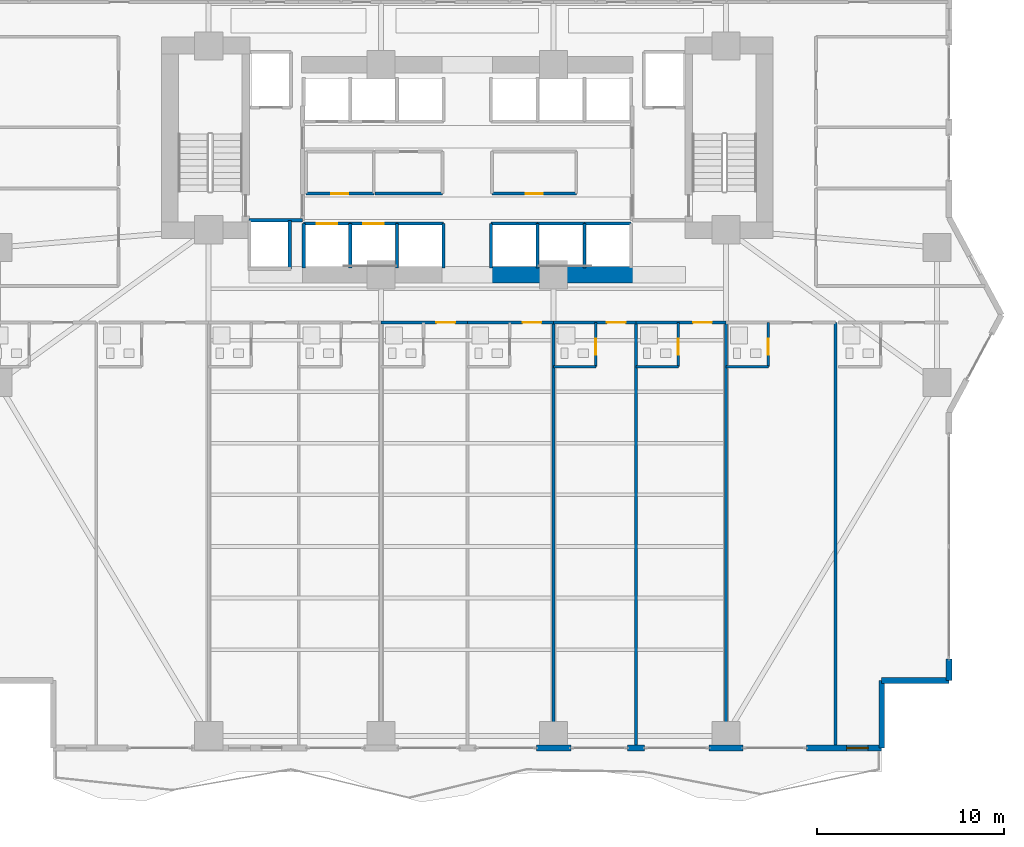
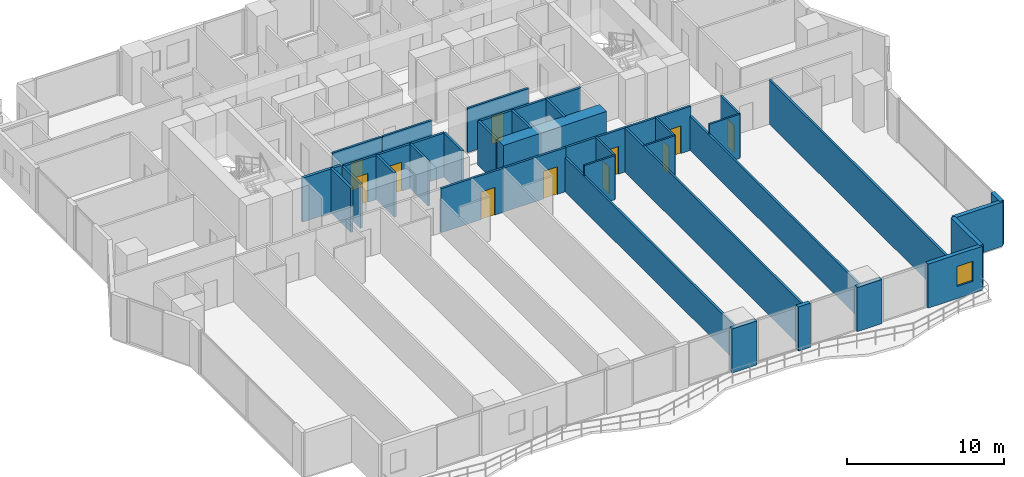
# One storey, part 20 of 29: 40 walls, 11 doors, 1 window, 12 openings.
"""IFC4 building model written with IfcOpenShell, lengths in metres."""

import ifcopenshell
import ifcopenshell.guid

model = None  # the IFC model being written
_history = None  # IfcOwnerHistory: only IFC2X3 demands one
_inside = {}  # id of a spatial element -> (the spatial element, [elements in it])
_under = {}  # id of a project, library or spatial element -> (it, [spatial elements below it])
_declared = {}  # id of a project -> (the project, [libraries it declares])
_typed = {}  # id of a type object -> (the type object, [elements of that type])
_made_of = {}  # id of a material, layer set ... -> (it, [elements and type objects made of it])


def new_model(schema):
    """Start an empty IFC model of exactly this schema.

    Asked for "IFC4X3", IfcOpenShell would pick the latest addendum, in which some entities
    have other attributes; the version numbers below select the first issue.
    IFC2X3 requires an IfcOwnerHistory on every rooted entity: one is made here for all.
    """
    global model, _history
    if schema == "IFC4X3":
        model = ifcopenshell.file(schema_version=(4, 3, 0, 0))
    else:
        model = ifcopenshell.file(schema=schema)
    _inside.clear()
    _under.clear()
    _declared.clear()
    _typed.clear()
    _made_of.clear()
    _history = None
    if model.schema == "IFC2X3":
        org = make("IfcOrganization", Name="unknown")
        user = make(
            "IfcPersonAndOrganization",
            ThePerson=make("IfcPerson", FamilyName="unknown"),
            TheOrganization=org,
        )
        app = make(
            "IfcApplication",
            ApplicationDeveloper=org,
            Version="unknown",
            ApplicationFullName="unknown",
            ApplicationIdentifier="unknown",
        )
        _history = make(
            "IfcOwnerHistory",
            OwningUser=user,
            OwningApplication=app,
            ChangeAction="ADDED",
            CreationDate=0,
        )
    return model


def make(cls, **values):
    """One entity of the class cls with the attributes given. An attribute that is None is left unset."""
    return model.create_entity(
        cls, **{name: value for name, value in values.items() if value is not None}
    )


def rooted(cls, **values):
    """An entity with a GlobalId (a new one), such as an element, a storey or a relation."""
    return make(cls, GlobalId=ifcopenshell.guid.new(), OwnerHistory=_history, **values)


def si_unit(unit_type, name, prefix=None):
    """IfcSIUnit, for example si_unit("LENGTHUNIT", "METRE", prefix="MILLI")."""
    return make("IfcSIUnit", UnitType=unit_type, Prefix=prefix, Name=name)


def assignment(units):
    """IfcUnitAssignment: the units of a project."""
    return None if units is None else make("IfcUnitAssignment", Units=units)


def point(xyz):
    """IfcCartesianPoint."""
    return None if xyz is None else make("IfcCartesianPoint", Coordinates=xyz)


def direction(xyz):
    """IfcDirection."""
    return None if xyz is None else make("IfcDirection", DirectionRatios=xyz)


def frame(location, z_axis=None, x_axis=None):
    """IfcAxis2Placement3D, a coordinate frame: its origin and axes. An axis left out is left unset."""
    return make(
        "IfcAxis2Placement3D",
        Location=point(location),
        Axis=direction(z_axis),
        RefDirection=direction(x_axis),
    )


def frame_2d(location, x_axis=None):
    """IfcAxis2Placement2D, a coordinate frame in the plane: its origin and x axis."""
    return make(
        "IfcAxis2Placement2D", Location=point(location), RefDirection=direction(x_axis)
    )


def origin():
    """The frame at (0, 0, 0) with its axes left unset."""
    return frame((0.0, 0.0, 0.0))


def place(relative_to, where):
    """IfcLocalPlacement: puts the frame where relative to a parent placement (None: the world)."""
    return make(
        "IfcLocalPlacement", PlacementRelTo=relative_to, RelativePlacement=where
    )


def context(
    kind, dimensions, precision=None, world=None, true_north=None, identifier=None
):
    """IfcGeometricRepresentationContext, for example the 3D "Model" context."""
    return make(
        "IfcGeometricRepresentationContext",
        ContextIdentifier=identifier,
        ContextType=kind,
        CoordinateSpaceDimension=dimensions,
        Precision=precision,
        WorldCoordinateSystem=world,
        TrueNorth=true_north,
    )


def subcontext(parent, identifier, kind, view, scale=None):
    """IfcGeometricRepresentationSubContext, for example "Body" below "Model"."""
    return make(
        "IfcGeometricRepresentationSubContext",
        ContextIdentifier=identifier,
        ContextType=kind,
        ParentContext=parent,
        TargetScale=scale,
        TargetView=view,
    )


def project(units=None, contexts=None):
    """IfcProject with its units and contexts."""
    return rooted(
        "IfcProject",
        Name="project",
        RepresentationContexts=contexts,
        UnitsInContext=assignment(units),
    )


def spatial(cls, under=None, at=None, **own):
    """A site, building, storey or space (cls), placed at a placement, below another one or the project."""
    s = rooted(cls, ObjectPlacement=at, **own)
    if under is not None:
        _under.setdefault(under.id(), (under, []))[1].append(s)
    return s


def profile(cls, at=None, kind="AREA", **sizes):
    """A parametric profile (cls). Its sizes go by their IFC names, for example OverallWidth=200.0."""
    return make(cls, ProfileType=kind, Position=at, **sizes)


def rectangle(**sizes):
    """IfcRectangleProfileDef."""
    return profile("IfcRectangleProfileDef", **sizes)


def extrude(swept, where, along, depth):
    """IfcExtrudedAreaSolid: the profile swept, set in the frame where, extruded along a direction by depth."""
    return make(
        "IfcExtrudedAreaSolid",
        SweptArea=swept,
        Position=where,
        ExtrudedDirection=direction(along),
        Depth=depth,
    )


def shape(context_of_items, identifier, shape_type, items):
    """IfcShapeRepresentation: the items that make up one representation, for example the "Body"."""
    return make(
        "IfcShapeRepresentation",
        ContextOfItems=context_of_items,
        RepresentationIdentifier=identifier,
        RepresentationType=shape_type,
        Items=items,
    )


def material(Name=None, Category=None):
    """IfcMaterial."""
    return make("IfcMaterial", Name=Name, Category=Category)


def layer(
    of_material, thickness, ventilated=None, Name=None, Category=None, Priority=None
):
    """IfcMaterialLayer: one layer of a wall or slab, of a material (None: an air gap)."""
    return make(
        "IfcMaterialLayer",
        Material=of_material,
        LayerThickness=thickness,
        IsVentilated=ventilated,
        Name=Name,
        Category=Category,
        Priority=Priority,
    )


def layer_set(layers, Name=None):
    """IfcMaterialLayerSet."""
    return make("IfcMaterialLayerSet", MaterialLayers=layers, LayerSetName=Name)


def made_of(thing, what):
    """Note that an element or type object is made of a material, layer set ...; save() writes the relation."""
    if what is not None:
        _made_of.setdefault(what.id(), (what, []))[1].append(thing)
    return thing


def type_object(cls, material=None, **own):
    """A type object (cls), such as IfcWallType, which elements share."""
    return made_of(rooted(cls, **own), material)


def element(
    cls,
    number,
    at=None,
    inside=None,
    cuts=None,
    type_object=None,
    material=None,
    context=None,
    identifier="Body",
    shape_type=None,
    held_by="IfcProductDefinitionShape",
    body=None,
    shapes=None,
    **own,
):
    """One element of the class cls, such as IfcWall. Its Tag is "e" and its number.

    at: its placement. inside: the storey or other place that contains it. cuts: it is an
    opening in that element (IfcRelVoidsElement). A single representation is given by context,
    identifier, shape_type and body (its items); several are given by shapes. held_by: the class
    of the entity that holds the representations. save() writes the other relations.
    """
    e = rooted(cls, Tag="e%d" % number, ObjectPlacement=at, **own)
    if body is not None:
        shapes = [shape(context, identifier, shape_type, body)]
    if shapes is not None:
        e.Representation = make(held_by, Representations=shapes)
    if inside is not None:
        _inside.setdefault(inside.id(), (inside, []))[1].append(e)
    if cuts is not None:
        rooted(
            "IfcRelVoidsElement", RelatingBuildingElement=cuts, RelatedOpeningElement=e
        )
    if type_object is not None:
        _typed.setdefault(type_object.id(), (type_object, []))[1].append(e)
    return made_of(e, material)


def fill(opening, filler):
    """IfcRelFillsElement: the door or window that sits in an opening."""
    return rooted(
        "IfcRelFillsElement",
        RelatingOpeningElement=opening,
        RelatedBuildingElement=filler,
    )


def aggregate(whole, parts):
    """IfcRelAggregates: a whole, such as a stair, and the parts it consists of."""
    return rooted("IfcRelAggregates", RelatingObject=whole, RelatedObjects=parts)


def save(model, path):
    """Write the relations noted so far, then the file.

    IfcRelAggregates (storeys below a building ...), IfcRelContainedInSpatialStructure (elements
    in a storey), IfcRelDefinesByType, IfcRelAssociatesMaterial and IfcRelDeclares: one each for
    every whole, place, type object, material and project.
    """
    for whole, parts in _under.values():
        aggregate(whole, parts)
    for where, things in _inside.values():
        rooted(
            "IfcRelContainedInSpatialStructure",
            RelatedElements=things,
            RelatingStructure=where,
        )
    for kind, things in _typed.values():
        rooted("IfcRelDefinesByType", RelatedObjects=things, RelatingType=kind)
    for what, things in _made_of.values():
        rooted("IfcRelAssociatesMaterial", RelatedObjects=things, RelatingMaterial=what)
    for by, libraries in _declared.values():
        rooted("IfcRelDeclares", RelatingContext=by, RelatedDefinitions=libraries)
    model.write(path)


model = new_model("IFC4")

# Units and contexts
model_context = context("Model", 3, precision=1e-05, world=origin(), true_north=direction((0.0, 1.0)))
body_context = subcontext(model_context, "Body", "Model", "MODEL_VIEW")
ifc_project = project(units=[si_unit("LENGTHUNIT", "METRE"), si_unit("AREAUNIT", "SQUARE_METRE"), si_unit("VOLUMEUNIT", "CUBIC_METRE"), si_unit("PLANEANGLEUNIT", "RADIAN"), si_unit("MASSUNIT", "GRAM", prefix="KILO")], contexts=[model_context])

# Site, building, storey
site_placement = place(None, origin())
site = spatial("IfcSite", under=ifc_project, at=site_placement, CompositionType="ELEMENT")
building_placement = place(site_placement, origin())
building = spatial("IfcBuilding", under=site, at=building_placement, Name="Zuhayl Quay Hotel", CompositionType="ELEMENT")
storey_placement = place(building_placement, frame((0.0, 0.0, 64.10009765625)))
storey = spatial("IfcBuildingStorey", under=building, at=storey_placement, Name="L15", CompositionType="ELEMENT", Elevation=64.10009765625)

# Walls
ifc_material_1 = material(Name="Concrete C70/85", Category="concrete")
ifc_layer_1 = layer(ifc_material_1, 0.89990234375, Name="Concrete C70/85", Category="concrete")
ifc_layer_set_1 = layer_set([ifc_layer_1], Name="Concrete C70/85")
wall_type_1 = type_object("IfcWallType", Name="WL_CORE_900", PredefinedType="SHEAR", material=ifc_layer_set_1)
wall_1_placement = place(storey_placement, frame((1.25, 2.14990234375, 0.0), z_axis=(0.0, 0.0, 1.0), x_axis=(1.0, 0.0, 0.0)))
element("IfcWall", 1, at=wall_1_placement, inside=storey, type_object=wall_type_1, Name="L15 Core Shear Wall CW_SC_E", PredefinedType="SHEAR", context=body_context, shape_type="SweptSolid", body=[
    extrude(rectangle(XDim=7.60009765625, YDim=0.89990234375, at=frame_2d((3.800048828125, 0.0))), origin(), (0.0, 0.0, 1.0), 3.429931640625),
])
ifc_material_2 = material(Name="Precast concrete C45/55", Category="concrete")
ifc_layer_2 = layer(ifc_material_2, 0.300048828125, Name="Precast concrete C45/55", Category="concrete")
ifc_layer_set_2 = layer_set([ifc_layer_2], Name="Precast concrete C45/55")
wall_type_2 = type_object("IfcWallType", Name="WL_EXT_300", PredefinedType="STANDARD", material=ifc_layer_set_2)
wall_2_placement = place(storey_placement, frame((25.699951171875, -18.35009765625, 0.0), z_axis=(0.0, 0.0, 1.0), x_axis=(0.0, -1.0, 0.0)))
element("IfcWall", 2, at=wall_2_placement, inside=storey, type_object=wall_type_2, Name="L15 Exterior Precast Wall ENV_L15_E14_EW2", PredefinedType="STANDARD", context=body_context, shape_type="SweptSolid", body=[
    extrude(rectangle(XDim=1.14990234375, YDim=0.300048828125, at=frame_2d((0.574951171875, 0.0))), origin(), (0.0, 0.0, 1.0), 3.429931640625),
])
wall_3_placement = place(storey_placement, frame((25.699951171875, -19.5, 0.0), z_axis=(0.0, 0.0, 1.0), x_axis=(-1.0, 0.0, 0.0)))
element("IfcWall", 3, at=wall_3_placement, inside=storey, type_object=wall_type_2, Name="L15 Exterior Precast Wall ENV_L15_EW15", PredefinedType="STANDARD", context=body_context, shape_type="SweptSolid", body=[
    extrude(rectangle(XDim=3.599853515625, YDim=0.300048828125, at=frame_2d((1.7998046875, 0.0))), origin(), (0.0, 0.0, 1.0), 3.429931640625),
])
wall_4_placement = place(storey_placement, frame((22.10009765625, -19.5, 0.0), z_axis=(0.0, 0.0, 1.0), x_axis=(0.0, -1.0, 0.0)))
element("IfcWall", 4, at=wall_4_placement, inside=storey, type_object=wall_type_2, Name="L15 Exterior Precast Wall ENV_L15_EW16", PredefinedType="STANDARD", context=body_context, shape_type="SweptSolid", body=[
    extrude(rectangle(XDim=3.60009765625, YDim=0.300048828125, at=frame_2d((1.800048828125, 0.0))), origin(), (0.0, 0.0, 1.0), 3.429931640625),
])

# Wall, opening, window
wall_5_placement = place(storey_placement, frame((22.10009765625, -23.10009765625, 0.0), z_axis=(0.0, 0.0, 1.0), x_axis=(-1.0, 0.0, 0.0)))
wall_5 = element("IfcWall", 5, at=wall_5_placement, inside=storey, type_object=wall_type_2, Name="L15 Exterior Precast Wall ENV_L15_S_EW1", PredefinedType="STANDARD", context=body_context, shape_type="SweptSolid", body=[
    extrude(rectangle(XDim=4.0, YDim=0.300048828125, at=frame_2d((2.0, 0.0))), origin(), (0.0, 0.0, 1.0), 3.429931640625),
])
opening_1_placement = place(wall_5_placement, frame((0.715087890625, 0.0, 0.949951171875)))
opening_1 = element("IfcOpeningElement", 6, at=opening_1_placement, cuts=wall_5, Name="Opening W01N", PredefinedType="OPENING", context=body_context, shape_type="SweptSolid", body=[
    extrude(rectangle(XDim=1.14990234375, YDim=1.550048828125, at=frame_2d((0.574951171875, 0.77490234375))), frame((0.0, 0.159912109375, 0.0), z_axis=(0.0, -1.0, 0.0), x_axis=(1.0, 0.0, 0.0)), (0.0, 0.0, 1.0), 0.320068359375),
])
ifc_material_3 = material(Name="Dark Ceramic-Fritted Solar Glass", Category="glass")
window_type = type_object("IfcWindowType", Name="WN_NOTCH_1350", PartitioningType="SINGLE_PANEL", PredefinedType="WINDOW", material=ifc_material_3)
window_placement = place(opening_1_placement, origin())
window = element("IfcWindow", 7, at=window_placement, inside=storey, type_object=window_type, Name="L15 Operable Facade Window 1-1", OverallHeight=1.550048828125, OverallWidth=1.14990234375, PartitioningType="SINGLE_PANEL", PredefinedType="WINDOW", context=body_context, shape_type="SweptSolid", body=[
    extrude(rectangle(XDim=1.14990234375, YDim=1.550048828125, at=frame_2d((0.574951171875, 0.77490234375))), frame((0.0, 0.030029296875, 0.0), z_axis=(0.0, -1.0, 0.0), x_axis=(1.0, 0.0, 0.0)), (0.0, 0.0, 1.0), 0.06005859375),
])
fill(opening_1, window)

# Walls
wall_6_placement = place(storey_placement, frame((14.719970703125, -23.10009765625, 0.0), z_axis=(0.0, 0.0, 1.0), x_axis=(-1.0, 0.0, 0.0)))
element("IfcWall", 8, at=wall_6_placement, inside=storey, type_object=wall_type_2, Name="L15 Exterior Precast Wall ENV_L15_S_EW2", PredefinedType="STANDARD", context=body_context, shape_type="SweptSolid", body=[
    extrude(rectangle(XDim=1.840087890625, YDim=0.300048828125, at=frame_2d((0.919921875, 0.0))), origin(), (0.0, 0.0, 1.0), 3.429931640625),
])
wall_7_placement = place(storey_placement, frame((9.449951171875, -23.10009765625, 0.0), z_axis=(0.0, 0.0, 1.0), x_axis=(-1.0, 0.0, 0.0)))
element("IfcWall", 9, at=wall_7_placement, inside=storey, type_object=wall_type_2, Name="L15 Exterior Precast Wall ENV_L15_S_EW3", PredefinedType="STANDARD", context=body_context, shape_type="SweptSolid", body=[
    extrude(rectangle(XDim=0.89990234375, YDim=0.300048828125, at=frame_2d((0.449951171875, 0.0))), origin(), (0.0, 0.0, 1.0), 3.429931640625),
])
wall_8_placement = place(storey_placement, frame((5.52001953125, -23.10009765625, 0.0), z_axis=(0.0, 0.0, 1.0), x_axis=(-1.0, 0.0, 0.0)))
element("IfcWall", 10, at=wall_8_placement, inside=storey, type_object=wall_type_2, Name="L15 Exterior Precast Wall ENV_L15_S_EW4", PredefinedType="STANDARD", context=body_context, shape_type="SweptSolid", body=[
    extrude(rectangle(XDim=1.840087890625, YDim=0.300048828125, at=frame_2d((0.919921875, 0.0))), origin(), (0.0, 0.0, 1.0), 3.429931640625),
])

# Wall, opening, door
ifc_material_4 = material(Name="Acoustic Gypsum Partition STC-58")
ifc_layer_3 = layer(ifc_material_4, 0.14990234375, Name="Acoustic Gypsum Partition STC-58")
ifc_layer_set_3 = layer_set([ifc_layer_3], Name="Acoustic Gypsum Partition STC-58")
wall_type_3 = type_object("IfcWallType", Name="WL_PART_150", PredefinedType="PARTITIONING", material=ifc_layer_set_3)
wall_9_placement = place(storey_placement, frame((-8.610107421875, 6.47998046875, 0.0), z_axis=(0.0, 0.0, 1.0), x_axis=(1.0, 0.0, 0.0)))
wall_9 = element("IfcWall", 11, at=wall_9_placement, inside=storey, type_object=wall_type_3, Name="L15 Partition IW_L15_CORE_SW_S", PredefinedType="PARTITIONING", context=body_context, shape_type="SweptSolid", body=[
    extrude(rectangle(XDim=3.6201171875, YDim=0.14990234375, at=frame_2d((1.81005859375, 0.0))), origin(), (0.0, 0.0, 1.0), 3.429931640625),
])
opening_2_placement = place(wall_9_placement, frame((1.360107421875, 0.0, 0.0)))
opening_2 = element("IfcOpeningElement", 12, at=opening_2_placement, cuts=wall_9, Name="Opening D06", PredefinedType="OPENING", context=body_context, shape_type="SweptSolid", body=[
    extrude(rectangle(XDim=0.89990234375, YDim=2.14990234375, at=frame_2d((0.449951171875, 1.074951171875))), frame((0.0, 0.0849609375, 0.0), z_axis=(0.0, -1.0, 0.0), x_axis=(1.0, 0.0, 0.0)), (0.0, 0.0, 1.0), 0.169921875),
])
ifc_material_5 = material(Name="Steel ASTM A992 Grade 50", Category="steel")
door_type_1 = type_object("IfcDoorType", Name="DR_INT_900", OperationType="NOTDEFINED", PredefinedType="DOOR", material=ifc_material_5)
door_1_placement = place(opening_2_placement, origin())
door_1 = element("IfcDoor", 13, at=door_1_placement, inside=storey, type_object=door_type_1, Name="L15 Floor Switchgear Closet Door", OperationType="SINGLE_SWING_LEFT", OverallHeight=2.14990234375, OverallWidth=0.89990234375, PredefinedType="DOOR", context=body_context, shape_type="SweptSolid", body=[
    extrude(rectangle(XDim=0.89990234375, YDim=2.14990234375, at=frame_2d((0.449951171875, 1.074951171875))), frame((0.0, 0.02490234375, 0.0), z_axis=(0.0, -1.0, 0.0), x_axis=(1.0, 0.0, 0.0)), (0.0, 0.0, 1.0), 0.050048828125),
])
fill(opening_2, door_1)

wall_10_placement = place(storey_placement, frame((1.320068359375, 6.47998046875, 0.0), z_axis=(0.0, 0.0, 1.0), x_axis=(1.0, 0.0, 0.0)))
wall_10 = element("IfcWall", 14, at=wall_10_placement, inside=storey, type_object=wall_type_3, Name="L15 Partition IW_L15_CORE_PN_S", PredefinedType="PARTITIONING", context=body_context, shape_type="SweptSolid", body=[
    extrude(rectangle(XDim=4.489990234375, YDim=0.14990234375, at=frame_2d((2.2451171875, 0.0))), origin(), (0.0, 0.0, 1.0), 3.429931640625),
])
opening_3_placement = place(wall_10_placement, frame((1.794921875, 0.0, 0.0)))
opening_3 = element("IfcOpeningElement", 15, at=opening_3_placement, cuts=wall_10, Name="Opening D06", PredefinedType="OPENING", context=body_context, shape_type="SweptSolid", body=[
    extrude(rectangle(XDim=0.89990234375, YDim=2.14990234375, at=frame_2d((0.449951171875, 1.074951171875))), frame((0.0, 0.0849609375, 0.0), z_axis=(0.0, -1.0, 0.0), x_axis=(1.0, 0.0, 0.0)), (0.0, 0.0, 1.0), 0.169921875),
])
door_2_placement = place(opening_3_placement, origin())
door_2 = element("IfcDoor", 16, at=door_2_placement, inside=storey, type_object=door_type_1, Name="L15 Core Ice and Pantry Room Door", OperationType="SINGLE_SWING_LEFT", OverallHeight=2.14990234375, OverallWidth=0.89990234375, PredefinedType="DOOR", context=body_context, shape_type="SweptSolid", body=[
    extrude(rectangle(XDim=0.89990234375, YDim=2.14990234375, at=frame_2d((0.449951171875, 1.074951171875))), frame((0.0, 0.02490234375, 0.0), z_axis=(0.0, -1.0, 0.0), x_axis=(1.0, 0.0, 0.0)), (0.0, 0.0, 1.0), 0.050048828125),
])
fill(opening_3, door_2)

# Walls
wall_11_placement = place(storey_placement, frame((-4.929931640625, 6.47998046875, 0.0), z_axis=(0.0, 0.0, 1.0), x_axis=(1.0, 0.0, 0.0)))
element("IfcWall", 17, at=wall_11_placement, inside=storey, type_object=wall_type_3, Name="L15 Partition IW_L15_CORE_BM_S", PredefinedType="PARTITIONING", context=body_context, shape_type="SweptSolid", body=[
    extrude(rectangle(XDim=3.60986328125, YDim=0.14990234375, at=frame_2d((1.804931640625, 0.0))), origin(), (0.0, 0.0, 1.0), 3.429931640625),
])
wall_12_placement = place(storey_placement, frame((4.60009765625, -23.02001953125, 0.0), z_axis=(0.0, 0.0, 1.0), x_axis=(0.0, 1.0, 0.0)))
element("IfcWall", 18, at=wall_12_placement, inside=storey, type_object=wall_type_3, Name="L15 Partition IW_L15_SU05_E", PredefinedType="PARTITIONING", context=body_context, shape_type="SweptSolid", body=[
    extrude(rectangle(XDim=22.6201171875, YDim=0.14990234375, at=frame_2d((11.31005859375, 0.0))), origin(), (0.0, 0.0, 1.0), 2.66796875),
])
wall_13_placement = place(storey_placement, frame((9.0, -23.02001953125, 0.0), z_axis=(0.0, 0.0, 1.0), x_axis=(0.0, 1.0, 0.0)))
element("IfcWall", 19, at=wall_13_placement, inside=storey, type_object=wall_type_3, Name="L15 Partition IW_L15_SU06_E", PredefinedType="PARTITIONING", context=body_context, shape_type="SweptSolid", body=[
    extrude(rectangle(XDim=22.6201171875, YDim=0.14990234375, at=frame_2d((11.31005859375, 0.0))), origin(), (0.0, 0.0, 1.0), 3.429931640625),
])
wall_14_placement = place(storey_placement, frame((13.800048828125, -23.02001953125, 0.0), z_axis=(0.0, 0.0, 1.0), x_axis=(0.0, 1.0, 0.0)))
element("IfcWall", 20, at=wall_14_placement, inside=storey, type_object=wall_type_3, Name="L15 Partition IW_L15_SU07_E", PredefinedType="PARTITIONING", context=body_context, shape_type="SweptSolid", body=[
    extrude(rectangle(XDim=22.6201171875, YDim=0.14990234375, at=frame_2d((11.31005859375, 0.0))), origin(), (0.0, 0.0, 1.0), 2.66796875),
])
wall_15_placement = place(storey_placement, frame((19.639892578125, -23.02001953125, 0.0), z_axis=(0.0, 0.0, 1.0), x_axis=(0.0, 1.0, 0.0)))
element("IfcWall", 21, at=wall_15_placement, inside=storey, type_object=wall_type_3, Name="L15 Partition IW_L15_SU08A_E", PredefinedType="PARTITIONING", context=body_context, shape_type="SweptSolid", body=[
    extrude(rectangle(XDim=22.6201171875, YDim=0.14990234375, at=frame_2d((11.31005859375, 0.0))), origin(), (0.0, 0.0, 1.0), 3.429931640625),
])

# Wall, opening, door
ifc_layer_4 = layer(ifc_material_4, 0.159912109375, Name="Acoustic Gypsum Partition STC-58")
ifc_layer_set_4 = layer_set([ifc_layer_4], Name="Acoustic Gypsum Partition STC-58")
wall_type_4 = type_object("IfcWallType", Name="WL_PART_CORR_160", PredefinedType="PARTITIONING", material=ifc_layer_set_4)
wall_16_placement = place(storey_placement, frame((-4.60009765625, -0.39990234375, 0.0), z_axis=(0.0, 0.0, 1.0), x_axis=(1.0, 0.0, 0.0)))
wall_16 = element("IfcWall", 22, at=wall_16_placement, inside=storey, type_object=wall_type_4, Name="L15 Partition IW_L15_SU04_COR", PredefinedType="PARTITIONING", context=body_context, shape_type="SweptSolid", body=[
    extrude(rectangle(XDim=4.60009765625, YDim=0.159912109375, at=frame_2d((2.300048828125, 0.0))), origin(), (0.0, 0.0, 1.0), 3.429931640625),
])
opening_4_placement = place(wall_16_placement, frame((2.949951171875, 0.0, 0.0)))
opening_4 = element("IfcOpeningElement", 23, at=opening_4_placement, cuts=wall_16, Name="Opening D03L", PredefinedType="OPENING", context=body_context, shape_type="SweptSolid", body=[
    extrude(rectangle(XDim=1.0, YDim=2.14990234375, at=frame_2d((0.5, 1.074951171875))), frame((0.0, 0.08984375, 0.0), z_axis=(0.0, -1.0, 0.0), x_axis=(1.0, 0.0, 0.0)), (0.0, 0.0, 1.0), 0.179931640625),
])
ifc_material_6 = material(Name="Solid Walnut Acoustic Fire Door")
door_type_2 = type_object("IfcDoorType", Name="DR_SUITE_1000", OperationType="NOTDEFINED", PredefinedType="DOOR", material=ifc_material_6)
door_3_placement = place(opening_4_placement, origin())
door_3 = element("IfcDoor", 24, at=door_3_placement, inside=storey, type_object=door_type_2, Name="L15 Premier Twin Junior Suite L15-04 Entrance Door", OperationType="SINGLE_SWING_LEFT", OverallHeight=2.14990234375, OverallWidth=1.0, PredefinedType="DOOR", context=body_context, shape_type="SweptSolid", body=[
    extrude(rectangle(XDim=1.0, YDim=2.14990234375, at=frame_2d((0.5, 1.074951171875))), frame((0.0, 0.02490234375, 0.0), z_axis=(0.0, -1.0, 0.0), x_axis=(1.0, 0.0, 0.0)), (0.0, 0.0, 1.0), 0.050048828125),
])
fill(opening_4, door_3)

wall_17_placement = place(storey_placement, frame((0.0, -0.39990234375, 0.0), z_axis=(0.0, 0.0, 1.0), x_axis=(1.0, 0.0, 0.0)))
wall_17 = element("IfcWall", 25, at=wall_17_placement, inside=storey, type_object=wall_type_4, Name="L15 Partition IW_L15_SU05_COR", PredefinedType="PARTITIONING", context=body_context, shape_type="SweptSolid", body=[
    extrude(rectangle(XDim=4.60009765625, YDim=0.159912109375, at=frame_2d((2.300048828125, 0.0))), origin(), (0.0, 0.0, 1.0), 3.429931640625),
])
opening_5_placement = place(wall_17_placement, frame((2.949951171875, 0.0, 0.0)))
opening_5 = element("IfcOpeningElement", 26, at=opening_5_placement, cuts=wall_17, Name="Opening D03L", PredefinedType="OPENING", context=body_context, shape_type="SweptSolid", body=[
    extrude(rectangle(XDim=1.0, YDim=2.14990234375, at=frame_2d((0.5, 1.074951171875))), frame((0.0, 0.08984375, 0.0), z_axis=(0.0, -1.0, 0.0), x_axis=(1.0, 0.0, 0.0)), (0.0, 0.0, 1.0), 0.179931640625),
])
door_4_placement = place(opening_5_placement, origin())
door_4 = element("IfcDoor", 27, at=door_4_placement, inside=storey, type_object=door_type_2, Name="L15 Premier Twin Junior Suite L15-05 Entrance Door", OperationType="SINGLE_SWING_LEFT", OverallHeight=2.14990234375, OverallWidth=1.0, PredefinedType="DOOR", context=body_context, shape_type="SweptSolid", body=[
    extrude(rectangle(XDim=1.0, YDim=2.14990234375, at=frame_2d((0.5, 1.074951171875))), frame((0.0, 0.02490234375, 0.0), z_axis=(0.0, -1.0, 0.0), x_axis=(1.0, 0.0, 0.0)), (0.0, 0.0, 1.0), 0.050048828125),
])
fill(opening_5, door_4)

wall_18_placement = place(storey_placement, frame((4.60009765625, -0.39990234375, 0.0), z_axis=(0.0, 0.0, 1.0), x_axis=(1.0, 0.0, 0.0)))
wall_18 = element("IfcWall", 28, at=wall_18_placement, inside=storey, type_object=wall_type_4, Name="L15 Partition IW_L15_SU06_COR", PredefinedType="PARTITIONING", context=body_context, shape_type="SweptSolid", body=[
    extrude(rectangle(XDim=4.39990234375, YDim=0.159912109375, at=frame_2d((2.199951171875, 0.0))), origin(), (0.0, 0.0, 1.0), 3.429931640625),
])
opening_6_placement = place(wall_18_placement, frame((2.85009765625, 0.0, 0.0)))
opening_6 = element("IfcOpeningElement", 29, at=opening_6_placement, cuts=wall_18, Name="Opening D03L", PredefinedType="OPENING", context=body_context, shape_type="SweptSolid", body=[
    extrude(rectangle(XDim=1.0, YDim=2.14990234375, at=frame_2d((0.5, 1.074951171875))), frame((0.0, 0.08984375, 0.0), z_axis=(0.0, -1.0, 0.0), x_axis=(1.0, 0.0, 0.0)), (0.0, 0.0, 1.0), 0.179931640625),
])
door_5_placement = place(opening_6_placement, origin())
door_5 = element("IfcDoor", 30, at=door_5_placement, inside=storey, type_object=door_type_2, Name="L15 Premier Twin Junior Suite L15-06 Entrance Door", OperationType="SINGLE_SWING_LEFT", OverallHeight=2.14990234375, OverallWidth=1.0, PredefinedType="DOOR", context=body_context, shape_type="SweptSolid", body=[
    extrude(rectangle(XDim=1.0, YDim=2.14990234375, at=frame_2d((0.5, 1.074951171875))), frame((0.0, 0.02490234375, 0.0), z_axis=(0.0, -1.0, 0.0), x_axis=(1.0, 0.0, 0.0)), (0.0, 0.0, 1.0), 0.050048828125),
])
fill(opening_6, door_5)

wall_19_placement = place(storey_placement, frame((9.0, -0.39990234375, 0.0), z_axis=(0.0, 0.0, 1.0), x_axis=(1.0, 0.0, 0.0)))
wall_19 = element("IfcWall", 31, at=wall_19_placement, inside=storey, type_object=wall_type_4, Name="L15 Partition IW_L15_SU07_COR", PredefinedType="PARTITIONING", context=body_context, shape_type="SweptSolid", body=[
    extrude(rectangle(XDim=4.800048828125, YDim=0.159912109375, at=frame_2d((2.39990234375, 0.0))), origin(), (0.0, 0.0, 1.0), 3.429931640625),
])
opening_7_placement = place(wall_19_placement, frame((3.050048828125, 0.0, 0.0)))
opening_7 = element("IfcOpeningElement", 32, at=opening_7_placement, cuts=wall_19, Name="Opening D03L", PredefinedType="OPENING", context=body_context, shape_type="SweptSolid", body=[
    extrude(rectangle(XDim=1.0, YDim=2.14990234375, at=frame_2d((0.5, 1.074951171875))), frame((0.0, 0.08984375, 0.0), z_axis=(0.0, -1.0, 0.0), x_axis=(1.0, 0.0, 0.0)), (0.0, 0.0, 1.0), 0.179931640625),
])
door_6_placement = place(opening_7_placement, origin())
door_6 = element("IfcDoor", 33, at=door_6_placement, inside=storey, type_object=door_type_2, Name="L15 Premier Twin Junior Suite L15-07 Entrance Door", OperationType="SINGLE_SWING_LEFT", OverallHeight=2.14990234375, OverallWidth=1.0, PredefinedType="DOOR", context=body_context, shape_type="SweptSolid", body=[
    extrude(rectangle(XDim=1.0, YDim=2.14990234375, at=frame_2d((0.5, 1.074951171875))), frame((0.0, 0.02490234375, 0.0), z_axis=(0.0, -1.0, 0.0), x_axis=(1.0, 0.0, 0.0)), (0.0, 0.0, 1.0), 0.050048828125),
])
fill(opening_7, door_6)

ifc_material_7 = material(Name="Moisture-Resistant Sanitarychase Gypsum")
ifc_layer_5 = layer(ifc_material_7, 0.135009765625, Name="Moisture-Resistant Sanitarychase Gypsum")
ifc_layer_set_5 = layer_set([ifc_layer_5], Name="Moisture-Resistant Sanitarychase Gypsum")
wall_type_5 = type_object("IfcWallType", Name="WL_PART_PLUMB_150", PredefinedType="PLUMBINGWALL", material=ifc_layer_set_5)
wall_20_placement = place(storey_placement, frame((6.860107421875, -2.760009765625, 0.0), z_axis=(0.0, 0.0, 1.0), x_axis=(0.0, 1.0, 0.0)))
wall_20 = element("IfcWall", 34, at=wall_20_placement, inside=storey, type_object=wall_type_5, Name="L15 Partition IW_L15_SU06_BE", PredefinedType="PLUMBINGWALL", context=body_context, shape_type="SweptSolid", body=[
    extrude(rectangle(XDim=2.360107421875, YDim=0.135009765625, at=frame_2d((1.18017578125, 0.0))), origin(), (0.0, 0.0, 1.0), 3.429931640625),
])
opening_8_placement = place(wall_20_placement, frame((0.64990234375, 0.0, 0.0)))
opening_8 = element("IfcOpeningElement", 35, at=opening_8_placement, cuts=wall_20, Name="Opening D04", PredefinedType="OPENING", context=body_context, shape_type="SweptSolid", body=[
    extrude(rectangle(XDim=0.85009765625, YDim=2.10009765625, at=frame_2d((0.425048828125, 1.050048828125))), frame((0.0, 0.077392578125, 0.0), z_axis=(0.0, -1.0, 0.0), x_axis=(1.0, 0.0, 0.0)), (0.0, 0.0, 1.0), 0.155029296875),
])
ifc_material_8 = material(Name="Moisture-Resistant Walnut Veneer")
door_type_3 = type_object("IfcDoorType", Name="DR_BATH_850", OperationType="NOTDEFINED", PredefinedType="DOOR", material=ifc_material_8)
door_7_placement = place(opening_8_placement, origin())
door_7 = element("IfcDoor", 36, at=door_7_placement, inside=storey, type_object=door_type_3, Name="L15 Premier Twin Junior Suite L15-06 En-Suite Door", OperationType="SINGLE_SWING_RIGHT", OverallHeight=2.10009765625, OverallWidth=0.85009765625, PredefinedType="DOOR", context=body_context, shape_type="SweptSolid", body=[
    extrude(rectangle(XDim=0.85009765625, YDim=2.10009765625, at=frame_2d((0.425048828125, 1.050048828125))), frame((0.0, 0.02490234375, 0.0), z_axis=(0.0, -1.0, 0.0), x_axis=(1.0, 0.0, 0.0)), (0.0, 0.0, 1.0), 0.050048828125),
])
fill(opening_8, door_7)

wall_21_placement = place(storey_placement, frame((11.260009765625, -2.760009765625, 0.0), z_axis=(0.0, 0.0, 1.0), x_axis=(0.0, 1.0, 0.0)))
wall_21 = element("IfcWall", 37, at=wall_21_placement, inside=storey, type_object=wall_type_5, Name="L15 Partition IW_L15_SU07_BE", PredefinedType="PLUMBINGWALL", context=body_context, shape_type="SweptSolid", body=[
    extrude(rectangle(XDim=2.360107421875, YDim=0.135009765625, at=frame_2d((1.18017578125, 0.0))), origin(), (0.0, 0.0, 1.0), 3.429931640625),
])
opening_9_placement = place(wall_21_placement, frame((0.64990234375, 0.0, 0.0)))
opening_9 = element("IfcOpeningElement", 38, at=opening_9_placement, cuts=wall_21, Name="Opening D04", PredefinedType="OPENING", context=body_context, shape_type="SweptSolid", body=[
    extrude(rectangle(XDim=0.85009765625, YDim=2.10009765625, at=frame_2d((0.425048828125, 1.050048828125))), frame((0.0, 0.077392578125, 0.0), z_axis=(0.0, -1.0, 0.0), x_axis=(1.0, 0.0, 0.0)), (0.0, 0.0, 1.0), 0.155029296875),
])
door_8_placement = place(opening_9_placement, origin())
door_8 = element("IfcDoor", 39, at=door_8_placement, inside=storey, type_object=door_type_3, Name="L15 Premier Twin Junior Suite L15-07 En-Suite Door", OperationType="SINGLE_SWING_RIGHT", OverallHeight=2.10009765625, OverallWidth=0.85009765625, PredefinedType="DOOR", context=body_context, shape_type="SweptSolid", body=[
    extrude(rectangle(XDim=0.85009765625, YDim=2.10009765625, at=frame_2d((0.425048828125, 1.050048828125))), frame((0.0, 0.02490234375, 0.0), z_axis=(0.0, -1.0, 0.0), x_axis=(1.0, 0.0, 0.0)), (0.0, 0.0, 1.0), 0.050048828125),
])
fill(opening_9, door_8)

wall_22_placement = place(storey_placement, frame((16.06005859375, -2.760009765625, 0.0), z_axis=(0.0, 0.0, 1.0), x_axis=(0.0, 1.0, 0.0)))
wall_22 = element("IfcWall", 40, at=wall_22_placement, inside=storey, type_object=wall_type_5, Name="L15 Partition IW_L15_SU08A_BE", PredefinedType="PLUMBINGWALL", context=body_context, shape_type="SweptSolid", body=[
    extrude(rectangle(XDim=2.360107421875, YDim=0.135009765625, at=frame_2d((1.18017578125, 0.0))), origin(), (0.0, 0.0, 1.0), 3.429931640625),
])
opening_10_placement = place(wall_22_placement, frame((0.64990234375, 0.0, 0.0)))
opening_10 = element("IfcOpeningElement", 41, at=opening_10_placement, cuts=wall_22, Name="Opening D04", PredefinedType="OPENING", context=body_context, shape_type="SweptSolid", body=[
    extrude(rectangle(XDim=0.85009765625, YDim=2.10009765625, at=frame_2d((0.425048828125, 1.050048828125))), frame((0.0, 0.077392578125, 0.0), z_axis=(0.0, -1.0, 0.0), x_axis=(1.0, 0.0, 0.0)), (0.0, 0.0, 1.0), 0.155029296875),
])
door_9_placement = place(opening_10_placement, origin())
door_9 = element("IfcDoor", 42, at=door_9_placement, inside=storey, type_object=door_type_3, Name="L15 Premier Twin Junior Suite L15-08A En-Suite Door", OperationType="SINGLE_SWING_RIGHT", OverallHeight=2.10009765625, OverallWidth=0.85009765625, PredefinedType="DOOR", context=body_context, shape_type="SweptSolid", body=[
    extrude(rectangle(XDim=0.85009765625, YDim=2.10009765625, at=frame_2d((0.425048828125, 1.050048828125))), frame((0.0, 0.02490234375, 0.0), z_axis=(0.0, -1.0, 0.0), x_axis=(1.0, 0.0, 0.0)), (0.0, 0.0, 1.0), 0.050048828125),
])
fill(opening_10, door_9)

# Walls
for number, where, z_axis, x_axis, name in (
    (43, (4.60009765625, -2.760009765625, 0.0), (0.0, 0.0, 1.0), (1.0, 0.0, 0.0), "L15 Partition IW_L15_SU06_BS"),
    (44, (9.0, -2.760009765625, 0.0), (0.0, 0.0, 1.0), (1.0, 0.0, 0.0), "L15 Partition IW_L15_SU07_BS"),
    (45, (13.800048828125, -2.760009765625, 0.0), (0.0, 0.0, 1.0), (1.0, 0.0, 0.0), "L15 Partition IW_L15_SU08A_BS"),
):
    element("IfcWall", number, at=place(storey_placement, frame(where, z_axis=z_axis, x_axis=x_axis)), inside=storey, type_object=wall_type_5, Name=name, PredefinedType="PLUMBINGWALL", context=body_context, shape_type="SweptSolid", body=[
        extrude(rectangle(XDim=2.260009765625, YDim=0.135009765625, at=frame_2d((1.1298828125, 0.0))), origin(), (0.0, 0.0, 1.0), 3.429931640625),
    ])

# Wall, opening, door
ifc_material_9 = material(Name="Gypsum Fireboard Assembly EI-90")
ifc_layer_6 = layer(ifc_material_9, 0.1650390625, Name="Gypsum Fireboard Assembly EI-90")
ifc_layer_set_6 = layer_set([ifc_layer_6], Name="Gypsum Fireboard Assembly EI-90")
wall_type_6 = type_object("IfcWallType", Name="WL_PART_SHAFT_160", PredefinedType="PARTITIONING", material=ifc_layer_set_6)
wall_23_placement = place(storey_placement, frame((-8.72998046875, 4.8798828125, 0.0), z_axis=(0.0, 0.0, 1.0), x_axis=(1.0, 0.0, 0.0)))
wall_23 = element("IfcWall", 46, at=wall_23_placement, inside=storey, type_object=wall_type_6, Name="L15 Partition IW_L15_SH_LP1_F", PredefinedType="PARTITIONING", context=body_context, shape_type="SweptSolid", body=[
    extrude(rectangle(XDim=2.47998046875, YDim=0.1650390625, at=frame_2d((1.239990234375, 0.0))), origin(), (0.0, 0.0, 1.0), 3.429931640625),
])
opening_11_placement = place(wall_23_placement, frame((0.68994140625, 0.0, 0.0)))
opening_11 = element("IfcOpeningElement", 47, at=opening_11_placement, cuts=wall_23, Name="Opening LD1", PredefinedType="OPENING", context=body_context, shape_type="SweptSolid", body=[
    extrude(rectangle(XDim=1.10009765625, YDim=2.25, at=frame_2d((0.550048828125, 1.125))), frame((0.0, 0.092529296875, 0.0), z_axis=(0.0, -1.0, 0.0), x_axis=(1.0, 0.0, 0.0)), (0.0, 0.0, 1.0), 0.18505859375),
])
ifc_material_10 = material(Name="Brushed Stainless Steel", Category="steel")
door_type_4 = type_object("IfcDoorType", Name="DR_LIFT_PASS_1100", OperationType="SLIDING_TO_LEFT", PredefinedType="DOOR", material=ifc_material_10)
door_10_placement = place(opening_11_placement, origin())
door_10 = element("IfcDoor", 48, at=door_10_placement, inside=storey, type_object=door_type_4, Name="L15 Lift LP1 Sliding Landing Door", OperationType="SLIDING_TO_LEFT", OverallHeight=2.25, OverallWidth=1.10009765625, PredefinedType="DOOR", context=body_context, shape_type="SweptSolid", body=[
    extrude(rectangle(XDim=1.10009765625, YDim=2.25, at=frame_2d((0.550048828125, 1.125))), frame((0.0, 0.02490234375, 0.0), z_axis=(0.0, -1.0, 0.0), x_axis=(1.0, 0.0, 0.0)), (0.0, 0.0, 1.0), 0.050048828125),
])
fill(opening_11, door_10)

wall_24_placement = place(storey_placement, frame((-6.25, 4.8798828125, 0.0), z_axis=(0.0, 0.0, 1.0), x_axis=(1.0, 0.0, 0.0)))
wall_24 = element("IfcWall", 49, at=wall_24_placement, inside=storey, type_object=wall_type_6, Name="L15 Partition IW_L15_SH_LP2_F", PredefinedType="PARTITIONING", context=body_context, shape_type="SweptSolid", body=[
    extrude(rectangle(XDim=2.5, YDim=0.1650390625, at=frame_2d((1.25, 0.0))), origin(), (0.0, 0.0, 1.0), 3.429931640625),
])
opening_12_placement = place(wall_24_placement, frame((0.699951171875, 0.0, 0.0)))
opening_12 = element("IfcOpeningElement", 50, at=opening_12_placement, cuts=wall_24, Name="Opening LD1", PredefinedType="OPENING", context=body_context, shape_type="SweptSolid", body=[
    extrude(rectangle(XDim=1.10009765625, YDim=2.25, at=frame_2d((0.550048828125, 1.125))), frame((0.0, 0.092529296875, 0.0), z_axis=(0.0, -1.0, 0.0), x_axis=(1.0, 0.0, 0.0)), (0.0, 0.0, 1.0), 0.18505859375),
])
door_11_placement = place(opening_12_placement, origin())
door_11 = element("IfcDoor", 51, at=door_11_placement, inside=storey, type_object=door_type_4, Name="L15 Lift LP2 Sliding Landing Door", OperationType="SLIDING_TO_LEFT", OverallHeight=2.25, OverallWidth=1.10009765625, PredefinedType="DOOR", context=body_context, shape_type="SweptSolid", body=[
    extrude(rectangle(XDim=1.10009765625, YDim=2.25, at=frame_2d((0.550048828125, 1.125))), frame((0.0, 0.02490234375, 0.0), z_axis=(0.0, -1.0, 0.0), x_axis=(1.0, 0.0, 0.0)), (0.0, 0.0, 1.0), 0.050048828125),
])
fill(opening_12, door_11)

# Walls
for number, where, z_axis, x_axis, name in (
    (52, (-8.72998046875, 2.52001953125, 0.0), (0.0, 0.0, 1.0), (0.0, 1.0, 0.0), "L15 Partition IW_L15_SH_LP1_W"),
    (53, (-6.25, 2.52001953125, 0.0), (0.0, 0.0, 1.0), (0.0, 1.0, 0.0), "L15 Partition IW_L15_SH_LP1_E"),
    (54, (-3.75, 2.52001953125, 0.0), (0.0, 0.0, 1.0), (0.0, 1.0, 0.0), "L15 Partition IW_L15_SH_LP2_E"),
):
    element("IfcWall", number, at=place(storey_placement, frame(where, z_axis=z_axis, x_axis=x_axis)), inside=storey, type_object=wall_type_6, Name=name, PredefinedType="PARTITIONING", context=body_context, shape_type="SweptSolid", body=[
        extrude(rectangle(XDim=2.35986328125, YDim=0.1650390625, at=frame_2d((1.179931640625, 0.0))), origin(), (0.0, 0.0, 1.0), 3.429931640625),
    ])
wall_25_placement = place(storey_placement, frame((-3.75, 4.8798828125, 0.0), z_axis=(0.0, 0.0, 1.0), x_axis=(1.0, 0.0, 0.0)))
element("IfcWall", 55, at=wall_25_placement, inside=storey, type_object=wall_type_6, Name="L15 Partition IW_L15_SH_MP1_F", PredefinedType="PARTITIONING", context=body_context, shape_type="SweptSolid", body=[
    extrude(rectangle(XDim=2.47998046875, YDim=0.1650390625, at=frame_2d((1.239990234375, 0.0))), origin(), (0.0, 0.0, 1.0), 3.429931640625),
])
wall_26_placement = place(storey_placement, frame((-1.27001953125, 2.52001953125, 0.0), z_axis=(0.0, 0.0, 1.0), x_axis=(0.0, 1.0, 0.0)))
element("IfcWall", 56, at=wall_26_placement, inside=storey, type_object=wall_type_6, Name="L15 Partition IW_L15_SH_MP1_E", PredefinedType="PARTITIONING", context=body_context, shape_type="SweptSolid", body=[
    extrude(rectangle(XDim=2.35986328125, YDim=0.1650390625, at=frame_2d((1.179931640625, 0.0))), origin(), (0.0, 0.0, 1.0), 3.429931640625),
])
wall_27_placement = place(storey_placement, frame((1.27001953125, 4.8798828125, 0.0), z_axis=(0.0, 0.0, 1.0), x_axis=(1.0, 0.0, 0.0)))
element("IfcWall", 57, at=wall_27_placement, inside=storey, type_object=wall_type_6, Name="L15 Partition IW_L15_SH_MP2_F", PredefinedType="PARTITIONING", context=body_context, shape_type="SweptSolid", body=[
    extrude(rectangle(XDim=2.47998046875, YDim=0.1650390625, at=frame_2d((1.239990234375, 0.0))), origin(), (0.0, 0.0, 1.0), 3.429931640625),
])
for number, where, z_axis, x_axis, name in (
    (58, (1.27001953125, 2.52001953125, 0.0), (0.0, 0.0, 1.0), (0.0, 1.0, 0.0), "L15 Partition IW_L15_SH_MP2_W"),
    (59, (3.75, 2.52001953125, 0.0), (0.0, 0.0, 1.0), (0.0, 1.0, 0.0), "L15 Partition IW_L15_SH_MP2_E"),
):
    element("IfcWall", number, at=place(storey_placement, frame(where, z_axis=z_axis, x_axis=x_axis)), inside=storey, type_object=wall_type_6, Name=name, PredefinedType="PARTITIONING", context=body_context, shape_type="SweptSolid", body=[
        extrude(rectangle(XDim=2.35986328125, YDim=0.1650390625, at=frame_2d((1.179931640625, 0.0))), origin(), (0.0, 0.0, 1.0), 3.429931640625),
    ])
wall_28_placement = place(storey_placement, frame((3.75, 4.8798828125, 0.0), z_axis=(0.0, 0.0, 1.0), x_axis=(1.0, 0.0, 0.0)))
element("IfcWall", 60, at=wall_28_placement, inside=storey, type_object=wall_type_6, Name="L15 Partition IW_L15_SH_HP1_F", PredefinedType="PARTITIONING", context=body_context, shape_type="SweptSolid", body=[
    extrude(rectangle(XDim=2.5, YDim=0.1650390625, at=frame_2d((1.25, 0.0))), origin(), (0.0, 0.0, 1.0), 3.429931640625),
])
wall_29_placement = place(storey_placement, frame((6.25, 2.52001953125, 0.0), z_axis=(0.0, 0.0, 1.0), x_axis=(0.0, 1.0, 0.0)))
element("IfcWall", 61, at=wall_29_placement, inside=storey, type_object=wall_type_6, Name="L15 Partition IW_L15_SH_HP1_E", PredefinedType="PARTITIONING", context=body_context, shape_type="SweptSolid", body=[
    extrude(rectangle(XDim=2.35986328125, YDim=0.1650390625, at=frame_2d((1.179931640625, 0.0))), origin(), (0.0, 0.0, 1.0), 3.429931640625),
])
wall_30_placement = place(storey_placement, frame((6.25, 4.8798828125, 0.0), z_axis=(0.0, 0.0, 1.0), x_axis=(1.0, 0.0, 0.0)))
element("IfcWall", 62, at=wall_30_placement, inside=storey, type_object=wall_type_6, Name="L15 Partition IW_L15_SH_HP2_F", PredefinedType="PARTITIONING", context=body_context, shape_type="SweptSolid", body=[
    extrude(rectangle(XDim=2.47998046875, YDim=0.1650390625, at=frame_2d((1.239990234375, 0.0))), origin(), (0.0, 0.0, 1.0), 3.429931640625),
])
ifc_layer_7 = layer(ifc_material_9, 0.179931640625, Name="Gypsum Fireboard Assembly EI-90")
ifc_layer_set_7 = layer_set([ifc_layer_7], Name="Gypsum Fireboard Assembly EI-90")
wall_type_7 = type_object("IfcWallType", Name="WL_PART_SHAFT_180", PredefinedType="PARTITIONING", material=ifc_layer_set_7)
wall_31_placement = place(storey_placement, frame((-9.469970703125, 2.449951171875, 0.0), z_axis=(0.0, 0.0, 1.0), x_axis=(0.0, 1.0, 0.0)))
element("IfcWall", 63, at=wall_31_placement, inside=storey, type_object=wall_type_7, Name="L15 Partition IW_L15_RISER_E", PredefinedType="PARTITIONING", context=body_context, shape_type="SweptSolid", body=[
    extrude(rectangle(XDim=2.60009765625, YDim=0.179931640625, at=frame_2d((1.300048828125, 0.0))), origin(), (0.0, 0.0, 1.0), 3.429931640625),
])
ifc_material_11 = material(Name="Gypsum Fireboard Assembly EI-120")
ifc_layer_8 = layer(ifc_material_11, 0.199951171875, Name="Gypsum Fireboard Assembly EI-120")
ifc_layer_set_8 = layer_set([ifc_layer_8], Name="Gypsum Fireboard Assembly EI-120")
wall_type_8 = type_object("IfcWallType", Name="WL_PART_SHAFT_200", PredefinedType="PARTITIONING", material=ifc_layer_set_8)
wall_32_placement = place(storey_placement, frame((-11.64990234375, 5.050048828125, 0.0), z_axis=(0.0, 0.0, 1.0), x_axis=(1.0, 0.0, 0.0)))
element("IfcWall", 64, at=wall_32_placement, inside=storey, type_object=wall_type_8, Name="L15 Partition IW_L15_FSAE_W_S", PredefinedType="PARTITIONING", context=body_context, shape_type="SweptSolid", body=[
    extrude(rectangle(XDim=2.849853515625, YDim=0.199951171875, at=frame_2d((1.4248046875, 0.0))), origin(), (0.0, 0.0, 1.0), 3.429931640625),
])

save(model, "model.ifc")
